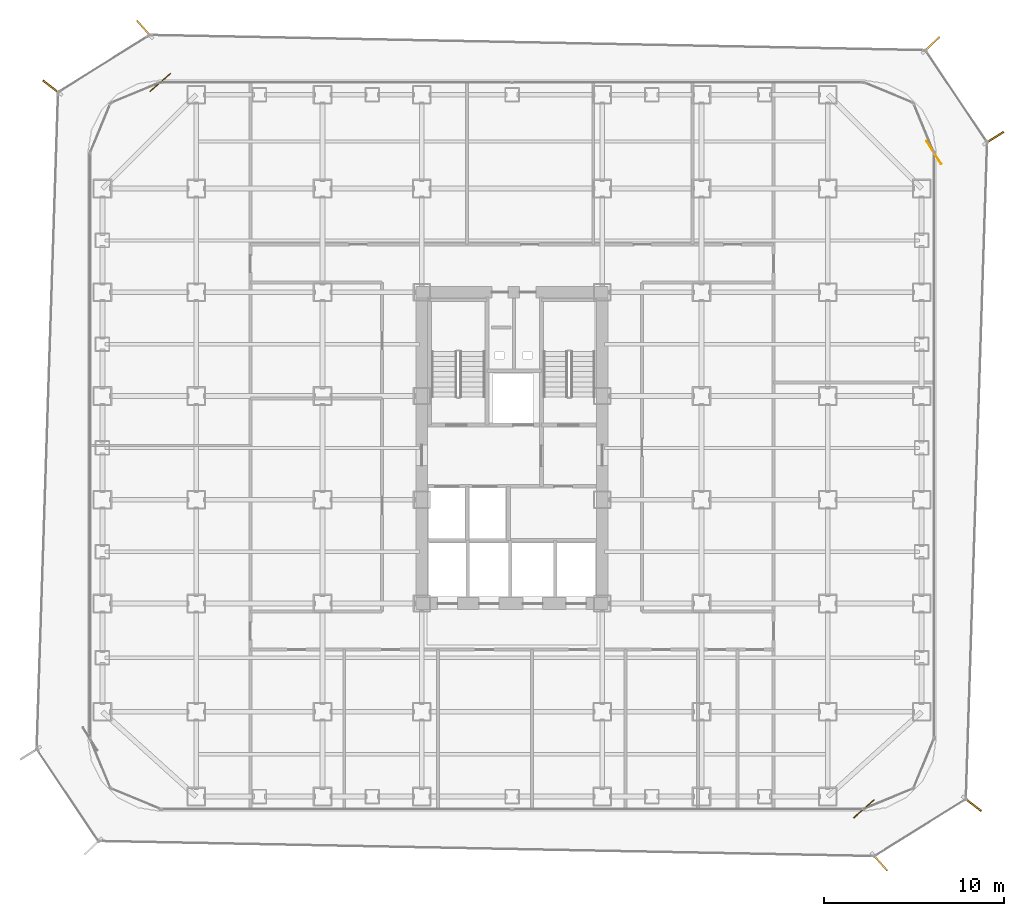
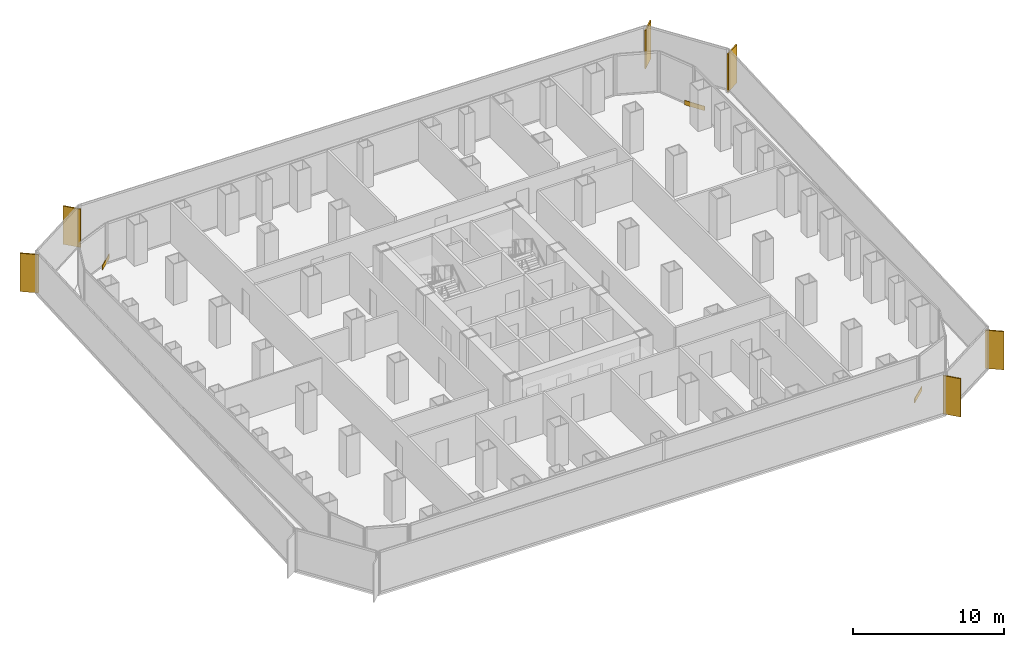
# One storey, part 22 of 22: 6 shading devices, 3 coverings.
"""IFC4 building model written with IfcOpenShell, lengths in metres."""

import ifcopenshell
import ifcopenshell.guid

model = None  # the IFC model being written
_history = None  # IfcOwnerHistory: only IFC2X3 demands one
_inside = {}  # id of a spatial element -> (the spatial element, [elements in it])
_under = {}  # id of a project, library or spatial element -> (it, [spatial elements below it])
_declared = {}  # id of a project -> (the project, [libraries it declares])
_typed = {}  # id of a type object -> (the type object, [elements of that type])
_made_of = {}  # id of a material, layer set ... -> (it, [elements and type objects made of it])


def new_model(schema):
    """Start an empty IFC model of exactly this schema.

    Asked for "IFC4X3", IfcOpenShell would pick the latest addendum, in which some entities
    have other attributes; the version numbers below select the first issue.
    IFC2X3 requires an IfcOwnerHistory on every rooted entity: one is made here for all.
    """
    global model, _history
    if schema == "IFC4X3":
        model = ifcopenshell.file(schema_version=(4, 3, 0, 0))
    else:
        model = ifcopenshell.file(schema=schema)
    _inside.clear()
    _under.clear()
    _declared.clear()
    _typed.clear()
    _made_of.clear()
    _history = None
    if model.schema == "IFC2X3":
        org = make("IfcOrganization", Name="unknown")
        user = make(
            "IfcPersonAndOrganization",
            ThePerson=make("IfcPerson", FamilyName="unknown"),
            TheOrganization=org,
        )
        app = make(
            "IfcApplication",
            ApplicationDeveloper=org,
            Version="unknown",
            ApplicationFullName="unknown",
            ApplicationIdentifier="unknown",
        )
        _history = make(
            "IfcOwnerHistory",
            OwningUser=user,
            OwningApplication=app,
            ChangeAction="ADDED",
            CreationDate=0,
        )
    return model


def make(cls, **values):
    """One entity of the class cls with the attributes given. An attribute that is None is left unset."""
    return model.create_entity(
        cls, **{name: value for name, value in values.items() if value is not None}
    )


def rooted(cls, **values):
    """An entity with a GlobalId (a new one), such as an element, a storey or a relation."""
    return make(cls, GlobalId=ifcopenshell.guid.new(), OwnerHistory=_history, **values)


def si_unit(unit_type, name, prefix=None):
    """IfcSIUnit, for example si_unit("LENGTHUNIT", "METRE", prefix="MILLI")."""
    return make("IfcSIUnit", UnitType=unit_type, Prefix=prefix, Name=name)


def assignment(units):
    """IfcUnitAssignment: the units of a project."""
    return None if units is None else make("IfcUnitAssignment", Units=units)


def point(xyz):
    """IfcCartesianPoint."""
    return None if xyz is None else make("IfcCartesianPoint", Coordinates=xyz)


def direction(xyz):
    """IfcDirection."""
    return None if xyz is None else make("IfcDirection", DirectionRatios=xyz)


def frame(location, z_axis=None, x_axis=None):
    """IfcAxis2Placement3D, a coordinate frame: its origin and axes. An axis left out is left unset."""
    return make(
        "IfcAxis2Placement3D",
        Location=point(location),
        Axis=direction(z_axis),
        RefDirection=direction(x_axis),
    )


def frame_2d(location, x_axis=None):
    """IfcAxis2Placement2D, a coordinate frame in the plane: its origin and x axis."""
    return make(
        "IfcAxis2Placement2D", Location=point(location), RefDirection=direction(x_axis)
    )


def origin():
    """The frame at (0, 0, 0) with its axes left unset."""
    return frame((0.0, 0.0, 0.0))


def origin_2d():
    """The frame at (0, 0) in the plane with its x axis left unset."""
    return frame_2d((0.0, 0.0))


def place(relative_to, where):
    """IfcLocalPlacement: puts the frame where relative to a parent placement (None: the world)."""
    return make(
        "IfcLocalPlacement", PlacementRelTo=relative_to, RelativePlacement=where
    )


def context(
    kind, dimensions, precision=None, world=None, true_north=None, identifier=None
):
    """IfcGeometricRepresentationContext, for example the 3D "Model" context."""
    return make(
        "IfcGeometricRepresentationContext",
        ContextIdentifier=identifier,
        ContextType=kind,
        CoordinateSpaceDimension=dimensions,
        Precision=precision,
        WorldCoordinateSystem=world,
        TrueNorth=true_north,
    )


def subcontext(parent, identifier, kind, view, scale=None):
    """IfcGeometricRepresentationSubContext, for example "Body" below "Model"."""
    return make(
        "IfcGeometricRepresentationSubContext",
        ContextIdentifier=identifier,
        ContextType=kind,
        ParentContext=parent,
        TargetScale=scale,
        TargetView=view,
    )


def project(units=None, contexts=None):
    """IfcProject with its units and contexts."""
    return rooted(
        "IfcProject",
        Name="project",
        RepresentationContexts=contexts,
        UnitsInContext=assignment(units),
    )


def spatial(cls, under=None, at=None, **own):
    """A site, building, storey or space (cls), placed at a placement, below another one or the project."""
    s = rooted(cls, ObjectPlacement=at, **own)
    if under is not None:
        _under.setdefault(under.id(), (under, []))[1].append(s)
    return s


def profile(cls, at=None, kind="AREA", **sizes):
    """A parametric profile (cls). Its sizes go by their IFC names, for example OverallWidth=200.0."""
    return make(cls, ProfileType=kind, Position=at, **sizes)


def rectangle(**sizes):
    """IfcRectangleProfileDef."""
    return profile("IfcRectangleProfileDef", **sizes)


def extrude(swept, where, along, depth):
    """IfcExtrudedAreaSolid: the profile swept, set in the frame where, extruded along a direction by depth."""
    return make(
        "IfcExtrudedAreaSolid",
        SweptArea=swept,
        Position=where,
        ExtrudedDirection=direction(along),
        Depth=depth,
    )


def shape(context_of_items, identifier, shape_type, items):
    """IfcShapeRepresentation: the items that make up one representation, for example the "Body"."""
    return make(
        "IfcShapeRepresentation",
        ContextOfItems=context_of_items,
        RepresentationIdentifier=identifier,
        RepresentationType=shape_type,
        Items=items,
    )


def source(mapping_origin, context_of_items, identifier, shape_type, items):
    """IfcRepresentationMap: a shape defined once, which mapped items show again and again."""
    return make(
        "IfcRepresentationMap",
        MappingOrigin=mapping_origin,
        MappedRepresentation=shape(context_of_items, identifier, shape_type, items),
    )


def transform(
    local_origin,
    x_axis=None,
    y_axis=None,
    z_axis=None,
    scale=None,
    scale2=None,
    scale3=None,
    uniform=True,
):
    """IfcCartesianTransformationOperator3D, or its non-uniform kind. x_axis, y_axis, z_axis: its Axis1, 2, 3."""
    if uniform:
        return make(
            "IfcCartesianTransformationOperator3D",
            Axis1=direction(x_axis),
            Axis2=direction(y_axis),
            LocalOrigin=point(local_origin),
            Scale=scale,
            Axis3=direction(z_axis),
        )
    return make(
        "IfcCartesianTransformationOperator3DnonUniform",
        Axis1=direction(x_axis),
        Axis2=direction(y_axis),
        LocalOrigin=point(local_origin),
        Scale=scale,
        Axis3=direction(z_axis),
        Scale2=scale2,
        Scale3=scale3,
    )


def mapped(mapping_source, mapping_target):
    """IfcMappedItem: shows the shape of a source again, moved by a transform."""
    return make(
        "IfcMappedItem", MappingSource=mapping_source, MappingTarget=mapping_target
    )


def material(Name=None, Category=None):
    """IfcMaterial."""
    return make("IfcMaterial", Name=Name, Category=Category)


def layer(
    of_material, thickness, ventilated=None, Name=None, Category=None, Priority=None
):
    """IfcMaterialLayer: one layer of a wall or slab, of a material (None: an air gap)."""
    return make(
        "IfcMaterialLayer",
        Material=of_material,
        LayerThickness=thickness,
        IsVentilated=ventilated,
        Name=Name,
        Category=Category,
        Priority=Priority,
    )


def layer_set(layers, Name=None):
    """IfcMaterialLayerSet."""
    return make("IfcMaterialLayerSet", MaterialLayers=layers, LayerSetName=Name)


def made_of(thing, what):
    """Note that an element or type object is made of a material, layer set ...; save() writes the relation."""
    if what is not None:
        _made_of.setdefault(what.id(), (what, []))[1].append(thing)
    return thing


def type_object(cls, material=None, **own):
    """A type object (cls), such as IfcWallType, which elements share."""
    return made_of(rooted(cls, **own), material)


def element(
    cls,
    number,
    at=None,
    inside=None,
    cuts=None,
    type_object=None,
    material=None,
    context=None,
    identifier="Body",
    shape_type=None,
    held_by="IfcProductDefinitionShape",
    body=None,
    shapes=None,
    **own,
):
    """One element of the class cls, such as IfcWall. Its Tag is "e" and its number.

    at: its placement. inside: the storey or other place that contains it. cuts: it is an
    opening in that element (IfcRelVoidsElement). A single representation is given by context,
    identifier, shape_type and body (its items); several are given by shapes. held_by: the class
    of the entity that holds the representations. save() writes the other relations.
    """
    e = rooted(cls, Tag="e%d" % number, ObjectPlacement=at, **own)
    if body is not None:
        shapes = [shape(context, identifier, shape_type, body)]
    if shapes is not None:
        e.Representation = make(held_by, Representations=shapes)
    if inside is not None:
        _inside.setdefault(inside.id(), (inside, []))[1].append(e)
    if cuts is not None:
        rooted(
            "IfcRelVoidsElement", RelatingBuildingElement=cuts, RelatedOpeningElement=e
        )
    if type_object is not None:
        _typed.setdefault(type_object.id(), (type_object, []))[1].append(e)
    return made_of(e, material)


def aggregate(whole, parts):
    """IfcRelAggregates: a whole, such as a stair, and the parts it consists of."""
    return rooted("IfcRelAggregates", RelatingObject=whole, RelatedObjects=parts)


def save(model, path):
    """Write the relations noted so far, then the file.

    IfcRelAggregates (storeys below a building ...), IfcRelContainedInSpatialStructure (elements
    in a storey), IfcRelDefinesByType, IfcRelAssociatesMaterial and IfcRelDeclares: one each for
    every whole, place, type object, material and project.
    """
    for whole, parts in _under.values():
        aggregate(whole, parts)
    for where, things in _inside.values():
        rooted(
            "IfcRelContainedInSpatialStructure",
            RelatedElements=things,
            RelatingStructure=where,
        )
    for kind, things in _typed.values():
        rooted("IfcRelDefinesByType", RelatedObjects=things, RelatingType=kind)
    for what, things in _made_of.values():
        rooted("IfcRelAssociatesMaterial", RelatedObjects=things, RelatingMaterial=what)
    for by, libraries in _declared.values():
        rooted("IfcRelDeclares", RelatingContext=by, RelatedDefinitions=libraries)
    model.write(path)


model = new_model("IFC4")

# Units and contexts
model_context = context("Model", 3, precision=1e-05, world=origin(), true_north=direction((0.0, 1.0)))
body_context = subcontext(model_context, "Body", "Model", "MODEL_VIEW")
ifc_project = project(units=[si_unit("LENGTHUNIT", "METRE"), si_unit("AREAUNIT", "SQUARE_METRE"), si_unit("VOLUMEUNIT", "CUBIC_METRE"), si_unit("PLANEANGLEUNIT", "RADIAN"), si_unit("MASSUNIT", "GRAM", prefix="KILO")], contexts=[model_context])

# Site, building, storey
site_placement = place(None, origin())
site = spatial("IfcSite", under=ifc_project, at=site_placement, CompositionType="ELEMENT")
building_placement = place(site_placement, origin())
building = spatial("IfcBuilding", under=site, at=building_placement, Name="Kolveth Station Tower", CompositionType="ELEMENT")
storey_placement = place(building_placement, frame((0.0, 0.0, 51.300048828125)))
storey = spatial("IfcBuildingStorey", under=building, at=storey_placement, Name="L13", CompositionType="ELEMENT", Elevation=51.300048828125)

# Shading devices
ifc_material_1 = material(Name="Black anodized aluminium 6063-T6", Category="aluminium")
shading_device_type = type_object("IfcShadingDeviceType", Name="FIN_VF1", PredefinedType="USERDEFINED", material=ifc_material_1)
shared_shape_1 = source(origin(), body_context, "Body", "SweptSolid", [
    extrude(rectangle(XDim=1.25, YDim=0.090087890625, at=origin_2d()), origin(), (0.0, 0.0, 1.0), 3.10009765625),
])
for number, where, z_axis, x_axis, name in (
    (1, (43.8798828125, -2.8369140625, 0.0), (0.0, 0.0, 1.0), (0.66183538044, -0.749649204093, 0.0), "L13 Dark-Aluminium Solar Fin 1"),
    (2, (49.010009765625, 0.386962890625, 0.0), (0.0, 0.0, 1.0), (0.788976859824, -0.614422911896, 0.0), "L13 Dark-Aluminium Solar Fin 2"),
    (3, (50.212890625, 37.306884765625, 0.0), (0.0, 0.0, 1.0), (0.842828324641, 0.538182511035, 0.0), "L13 Dark-Aluminium Solar Fin 3"),
    (4, (46.739990234375, 42.472900390625, 0.0), (0.0, 0.0, 1.0), (0.722725938412, 0.691134732122, 0.0), "L13 Dark-Aluminium Solar Fin 4"),
    (5, (3.118896484375, 43.343017578125, 0.0), (0.0, 0.0, 1.0), (-0.661704531892, 0.74976470474, 0.0), "L13 Dark-Aluminium Solar Fin 5"),
    (6, (-2.008056640625, 40.112060546875, 0.0), (0.0, 0.0, 1.0), (-0.788976859824, 0.614422911896, 0.0), "L13 Dark-Aluminium Solar Fin 6"),
):
    element("IfcShadingDevice", number, at=place(storey_placement, frame(where, z_axis=z_axis, x_axis=x_axis)), inside=storey, type_object=shading_device_type, Name=name, ObjectType="FIN", PredefinedType="USERDEFINED", context=body_context, shape_type="MappedRepresentation", body=[
        mapped(shared_shape_1, transform((0.0, 0.0, 0.0), x_axis=(1.0, 0.0, 0.0), y_axis=(0.0, 1.0, 0.0), z_axis=(0.0, 0.0, 1.0), scale=1.0)),
    ])

# Coverings
ifc_material_2 = material(Name="Charcoal anodized aluminium spandrel cladding", Category="aluminium")
ifc_layer = layer(ifc_material_2, 0.044921875)
ifc_layer_set = layer_set([ifc_layer], Name="Charcoal anodized aluminium spandrel cladding")
covering_type = type_object("IfcCoveringType", Name="Clad_CD1", PredefinedType="CLADDING", material=ifc_layer_set)
shared_shape_2 = source(origin(), body_context, "Body", "SweptSolid", [
    extrude(rectangle(XDim=1.5, YDim=0.044921875, at=origin_2d()), origin(), (0.0, 0.0, 1.0), 0.360107421875),
])
for number, where, z_axis, x_axis, name in (
    (7, (43.0, 0.1201171875, 0.0), (0.0, 0.0, 1.0), (0.749649204093, 0.66183538044, 0.0), "L13 Spandrel Edge Cladding 1"),
    (8, (46.8798828125, 36.5, 0.0), (0.0, 0.0, 1.0), (-0.538182511035, 0.842828324641, 0.0), "L13 Spandrel Edge Cladding 3"),
    (9, (4.0, 40.3798828125, 0.0), (0.0, 0.0, 1.0), (-0.74976470474, -0.661704531892, 0.0), "L13 Spandrel Edge Cladding 5"),
):
    element("IfcCovering", number, at=place(storey_placement, frame(where, z_axis=z_axis, x_axis=x_axis)), inside=storey, type_object=covering_type, Name=name, PredefinedType="CLADDING", context=body_context, shape_type="MappedRepresentation", body=[
        mapped(shared_shape_2, transform((0.0, 0.0, 0.0), x_axis=(1.0, 0.0, 0.0), y_axis=(0.0, 1.0, 0.0), z_axis=(0.0, 0.0, 1.0), scale=1.0)),
    ])

save(model, "model.ifc")
